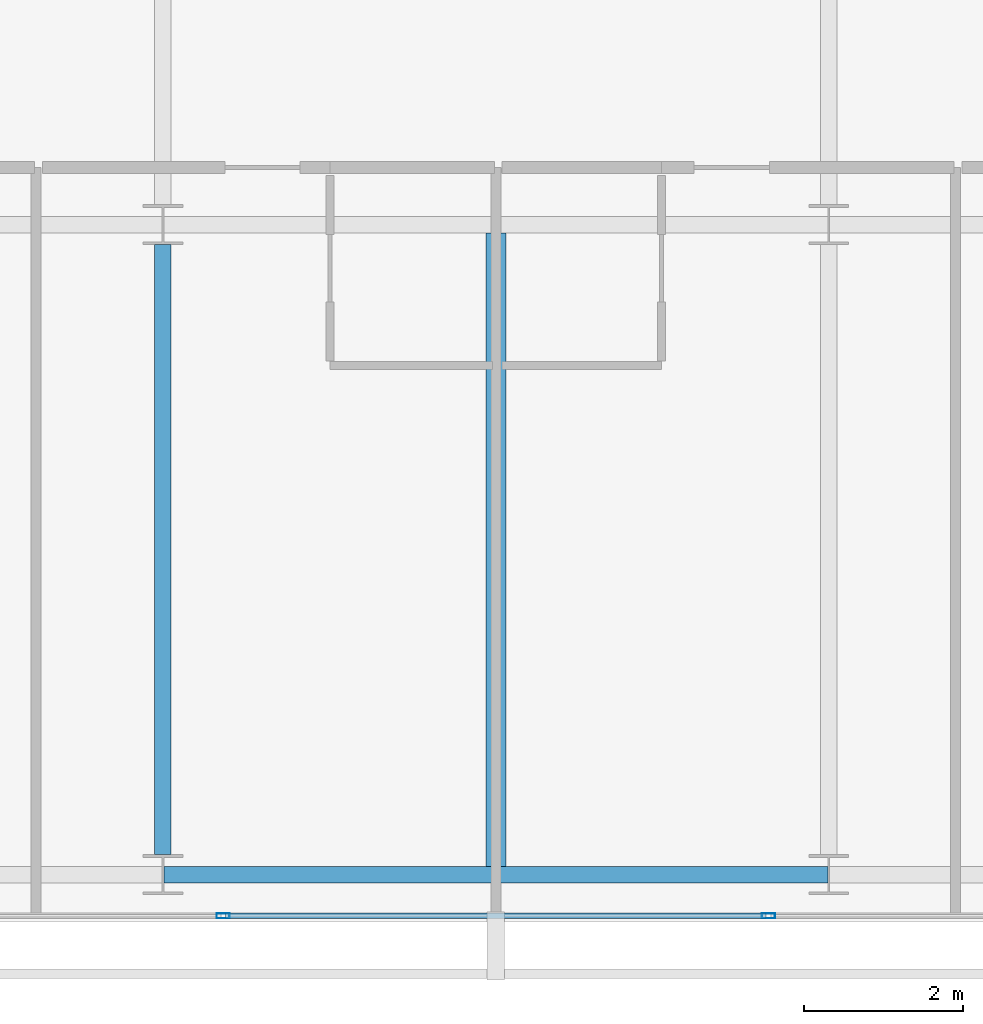
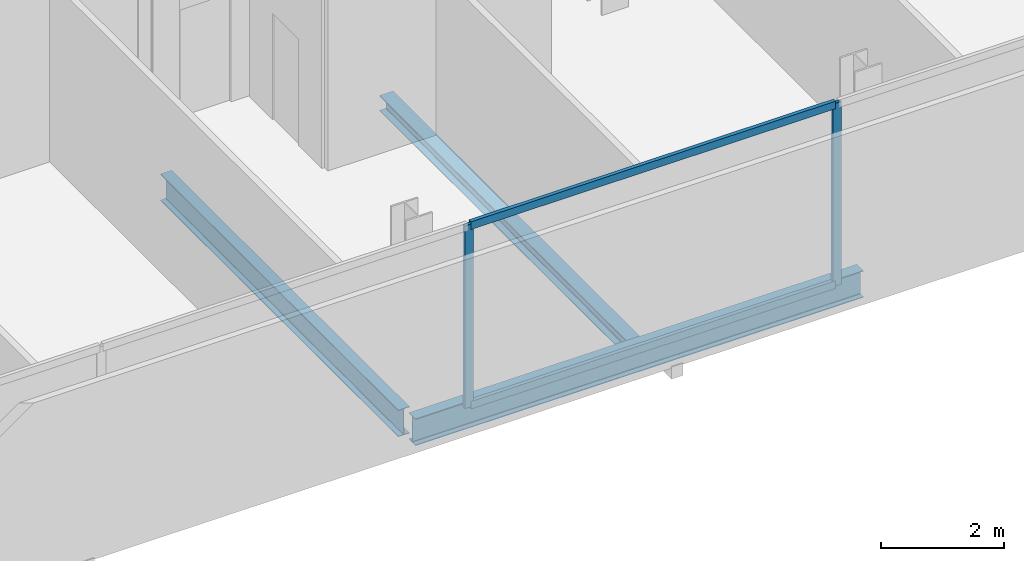
# One storey, part 6 of 25: 4 members, 3 beams, 1 element without a shape of its own.
"""IFC4 building model written with IfcOpenShell, lengths in metres."""

from ifc_helpers import new_model, si_unit, direction, frame, origin, origin_2d, place, context, subcontext, project, spatial, hollow_rectangle, i_section, extrude, material, layer, layer_set, material_profile, profile_set, type_object, element, aggregate, save


model = new_model("IFC4")

# Units and contexts
model_context = context("Model", 3, precision=1e-05, world=origin(), true_north=direction((0.0, 1.0)))
body_context = subcontext(model_context, "Body", "Model", "MODEL_VIEW")
ifc_project = project(units=[si_unit("LENGTHUNIT", "METRE"), si_unit("AREAUNIT", "SQUARE_METRE"), si_unit("VOLUMEUNIT", "CUBIC_METRE"), si_unit("PLANEANGLEUNIT", "RADIAN"), si_unit("MASSUNIT", "GRAM", prefix="KILO")], contexts=[model_context])

# Site, building, storey
site_placement = place(None, origin())
site = spatial("IfcSite", under=ifc_project, at=site_placement, CompositionType="ELEMENT")
building_placement = place(site_placement, origin())
building = spatial("IfcBuilding", under=site, at=building_placement, Name="Maruvema Waterfront Hotel and Observation Tower", CompositionType="ELEMENT")
storey_placement = place(building_placement, frame((0.0, 0.0, 239.39990234375)))
storey = spatial("IfcBuildingStorey", under=building, at=storey_placement, Name="L58", CompositionType="ELEMENT", Elevation=239.39990234375)

# Curtain wall, members
ifc_material_1 = material(Name="Anodised bronze aluminium and solar-control low-E IGU", Category="aluminium")
ifc_layer = layer(ifc_material_1, 0.159912109375, Name="Zone 3 Champagne Inner Thermal Curtain Wall System CW-04")
ifc_layer_set = layer_set([ifc_layer], Name="Anodised bronze aluminium and solar-control low-E IGU")
curtain_wall_type = type_object("IfcCurtainWallType", Name="Zone 3 Champagne Inner Thermal Curtain Wall System CW-04", PredefinedType="USERDEFINED", material=ifc_layer_set)
curtain_wall_placement = place(storey_placement, origin())
curtain_wall = element("IfcCurtainWall", 1, at=curtain_wall_placement, inside=storey, type_object=curtain_wall_type, Name="L58 Curtain Wall CW-L58-S", ObjectType="UNITISED CURTAIN WALL", PredefinedType="USERDEFINED")
ifc_material_2 = material(Name="Anodised architectural bronze aluminium", Category="aluminium")
ifc_material_profile_1 = material_profile(ifc_material_2, hollow_rectangle(XDim=0.070068359375, YDim=0.14990234375, WallThickness=0.00390625, at=origin_2d()), Name="ALU-T70x150")
ifc_profile_set_1 = profile_set([ifc_material_profile_1], Name="Anodised architectural bronze aluminium")
member_type_1 = type_object("IfcMemberType", Name="Curtain Wall Horizontal Transom ALU-T70x150", PredefinedType="USERDEFINED", material=ifc_profile_set_1)
member_1_placement = place(storey_placement, frame((34.389892578125, 9.280029296875, 0.030029296875), z_axis=(1.0, 0.0, 0.0), x_axis=(0.0, 1.0, 0.0)))
member_1 = element("IfcMember", 2, at=member_1_placement, type_object=member_type_1, Name="CW-04 transom 3.1", ObjectType="TRANSOM", PredefinedType="USERDEFINED", context=body_context, shape_type="SweptSolid", body=[
    extrude(hollow_rectangle(XDim=0.070068359375, YDim=0.14990234375, WallThickness=0.00390625, at=origin_2d()), origin(), (0.0, 0.0, 1.0), 6.820068359375),
])
member_2_placement = place(storey_placement, frame((34.389892578125, 9.280029296875, 3.580078125), z_axis=(1.0, 0.0, 0.0), x_axis=(0.0, 1.0, 0.0)))
member_2 = element("IfcMember", 3, at=member_2_placement, type_object=member_type_1, Name="CW-04 transom 3.2", ObjectType="TRANSOM", PredefinedType="USERDEFINED", context=body_context, shape_type="SweptSolid", body=[
    extrude(hollow_rectangle(XDim=0.070068359375, YDim=0.14990234375, WallThickness=0.00390625, at=origin_2d()), origin(), (0.0, 0.0, 1.0), 6.820068359375),
])
ifc_material_3 = material(Name="Anodised architectural bronze aluminium", Category="aluminium")
ifc_material_profile_2 = material_profile(ifc_material_3, hollow_rectangle(XDim=0.06494140625, YDim=0.1650390625, WallThickness=0.00390625, at=origin_2d()), Name="ALU-M65x165")
ifc_profile_set_2 = profile_set([ifc_material_profile_2], Name="Anodised architectural bronze aluminium")
member_type_2 = type_object("IfcMemberType", Name="Curtain Wall Primary Mullion ALU-M65x165", PredefinedType="MULLION", material=ifc_profile_set_2)
member_3_placement = place(storey_placement, frame((34.360107421875, 9.280029296875, 0.0), z_axis=(0.0, 0.0, 1.0), x_axis=(0.0, 1.0, 0.0)))
member_3 = element("IfcMember", 4, at=member_3_placement, type_object=member_type_2, Name="CW-04 mullion 3", PredefinedType="MULLION", context=body_context, shape_type="SweptSolid", body=[
    extrude(hollow_rectangle(XDim=0.06494140625, YDim=0.1650390625, WallThickness=0.00390625, at=origin_2d()), origin(), (0.0, 0.0, 1.0), 3.610107421875),
])
member_4_placement = place(storey_placement, frame((41.239990234375, 9.280029296875, 0.0), z_axis=(0.0, 0.0, 1.0), x_axis=(0.0, 1.0, 0.0)))
member_4 = element("IfcMember", 5, at=member_4_placement, type_object=member_type_2, Name="CW-04 mullion 4", PredefinedType="MULLION", context=body_context, shape_type="SweptSolid", body=[
    extrude(hollow_rectangle(XDim=0.06494140625, YDim=0.1650390625, WallThickness=0.00390625, at=origin_2d()), origin(), (0.0, 0.0, 1.0), 3.610107421875),
])
aggregate(curtain_wall, [member_3, member_4, member_1, member_2])

# Beams
ifc_material_4 = material(Name="Steel ASTM A572 Grade 50", Category="steel")
ifc_material_profile_3 = material_profile(ifc_material_4, i_section(OverallWidth=0.208984375, OverallDepth=0.532958984375, WebThickness=0.01025390625, FlangeThickness=0.015625, FilletRadius=0.014892578125, at=origin_2d()), Name="W530x92.0")
ifc_profile_set_3 = profile_set([ifc_material_profile_3], Name="Steel ASTM A572 Grade 50")
beam_type_1 = type_object("IfcBeamType", Name="Primary Floor Girder W530x92.0", PredefinedType="BEAM", material=ifc_profile_set_3)
beam_1_placement = place(storey_placement, frame((33.611083984375, 9.800048828125, -0.50634765625), z_axis=(1.0, 0.0, 0.0), x_axis=(0.0, 1.0, 0.0)))
element("IfcBeam", 6, at=beam_1_placement, inside=storey, type_object=beam_type_1, Name="L58 Floor Girder EW-02", PredefinedType="BEAM", context=body_context, shape_type="SweptSolid", body=[
    extrude(i_section(OverallWidth=0.208984375, OverallDepth=0.532958984375, WebThickness=0.01025390625, FlangeThickness=0.015625, FilletRadius=0.014892578125, at=origin_2d()), origin(), (0.0, 0.0, 1.0), 8.3779296875),
])
beam_2_placement = place(storey_placement, frame((33.60009765625, 10.050048828125, -0.50634765625), z_axis=(0.0, 1.0, 0.0), x_axis=(-1.0, 0.0, 0.0)))
element("IfcBeam", 7, at=beam_2_placement, inside=storey, type_object=beam_type_1, Name="L58 Floor Girder NS-08", PredefinedType="BEAM", context=body_context, shape_type="SweptSolid", body=[
    extrude(i_section(OverallWidth=0.208984375, OverallDepth=0.532958984375, WebThickness=0.01025390625, FlangeThickness=0.015625, FilletRadius=0.014892578125, at=origin_2d()), origin(), (0.0, 0.0, 1.0), 7.699951171875),
])
ifc_material_5 = material(Name="Steel ASTM A572 Grade 50", Category="steel")
ifc_material_profile_4 = material_profile(ifc_material_5, i_section(OverallWidth=0.25390625, OverallDepth=0.305908203125, WebThickness=0.0087890625, FlangeThickness=0.0146484375, FilletRadius=0.014892578125, at=origin_2d()), Name="W310x79.0")
ifc_profile_set_4 = profile_set([ifc_material_profile_4], Name="Steel ASTM A572 Grade 50")
beam_type_2 = type_object("IfcBeamType", Name="Secondary Floor Joist W310x79.0", PredefinedType="JOIST", material=ifc_profile_set_4)
beam_3_placement = place(storey_placement, frame((37.800048828125, 9.904541015625, -0.392822265625), z_axis=(0.0, 1.0, 0.0), x_axis=(-1.0, 0.0, 0.0)))
element("IfcBeam", 8, at=beam_3_placement, inside=storey, type_object=beam_type_2, Name="L58 Secondary Floor Joist JS-05", PredefinedType="JOIST", context=body_context, shape_type="SweptSolid", body=[
    extrude(i_section(OverallWidth=0.25390625, OverallDepth=0.305908203125, WebThickness=0.0087890625, FlangeThickness=0.0146484375, FilletRadius=0.014892578125, at=origin_2d()), origin(), (0.0, 0.0, 1.0), 7.990966796875),
])

save(model, "model.ifc")
